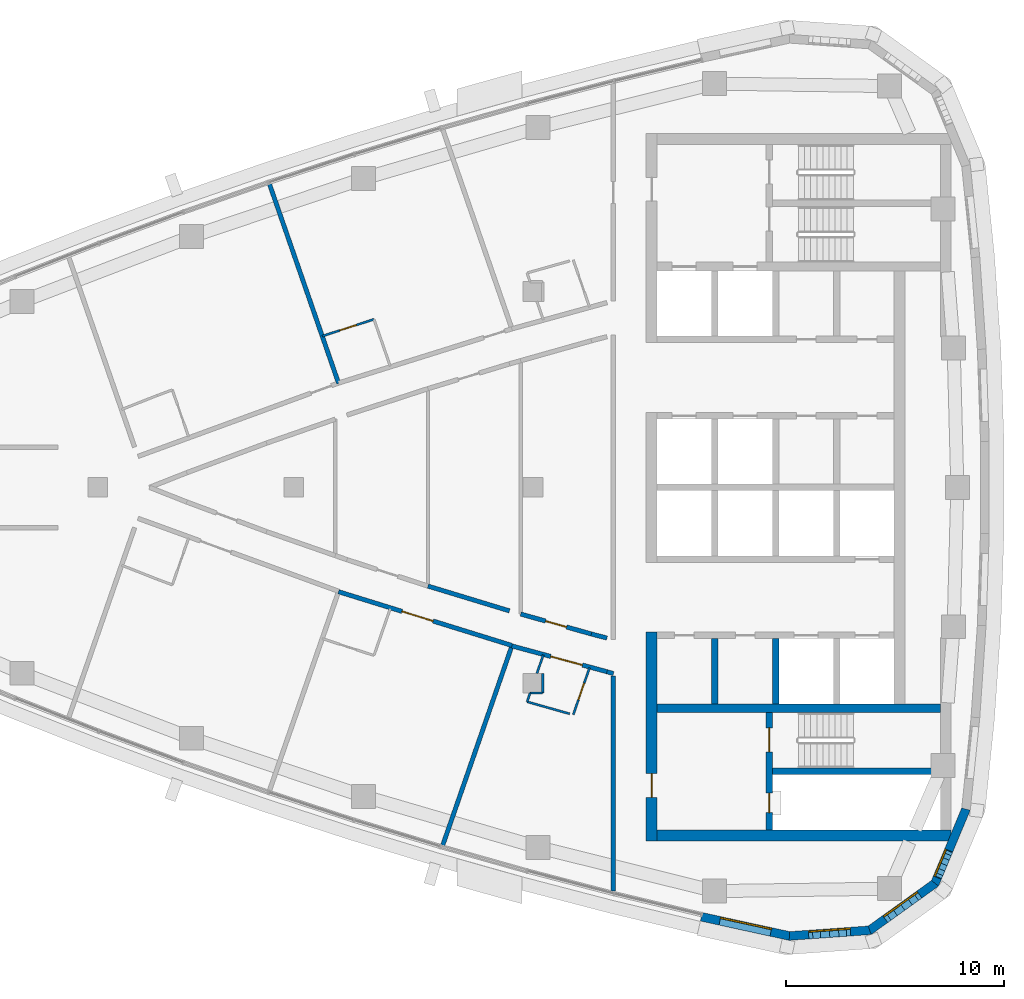
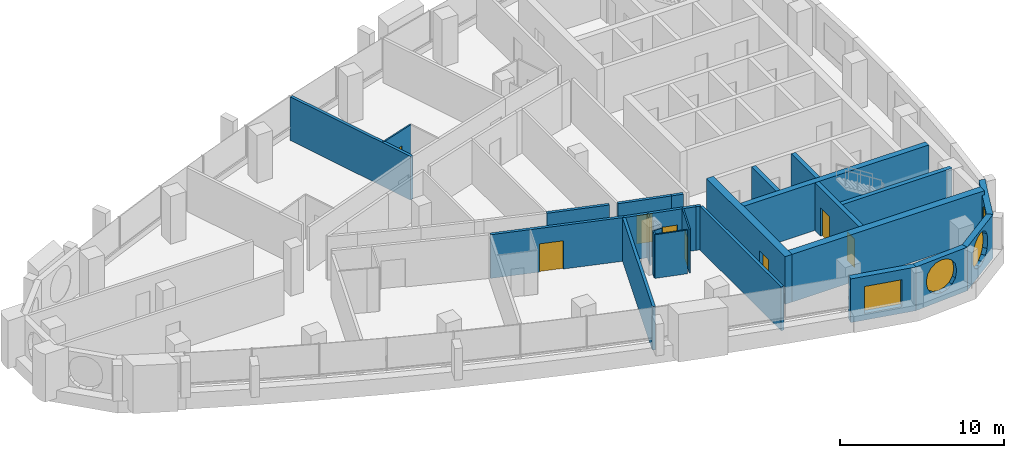
# One storey, part 8 of 15: 27 walls, 8 doors, 4 windows, 12 openings.
"""IFC4 building model written with IfcOpenShell, lengths in metres."""

from ifc_helpers import new_model, si_unit, direction, frame, frame_2d, origin, place, context, subcontext, project, spatial, polyline, rectangle, outline, extrude, material, layer, layer_set, type_object, element, fill, save


model = new_model("IFC4")

# Units and contexts
model_context = context("Model", 3, precision=1e-05, world=origin(), true_north=direction((0.0, 1.0)))
body_context = subcontext(model_context, "Body", "Model", "MODEL_VIEW")
ifc_project = project(units=[si_unit("LENGTHUNIT", "METRE"), si_unit("AREAUNIT", "SQUARE_METRE"), si_unit("VOLUMEUNIT", "CUBIC_METRE"), si_unit("PLANEANGLEUNIT", "RADIAN"), si_unit("MASSUNIT", "GRAM", prefix="KILO")], contexts=[model_context])

# Site, building, storey
site_placement = place(None, origin())
site = spatial("IfcSite", under=ifc_project, at=site_placement, CompositionType="ELEMENT")
building_placement = place(site_placement, origin())
building = spatial("IfcBuilding", under=site, at=building_placement, Name="Ostrand Prow Hotel Tower", CompositionType="ELEMENT")
storey_placement = place(building_placement, frame((0.0, 0.0, 292.75)))
storey = spatial("IfcBuildingStorey", under=building, at=storey_placement, Name="L74", CompositionType="ELEMENT", Elevation=292.75)

# Walls
ifc_material_1 = material(Name="Concrete C50/60", Category="concrete")
ifc_layer_1 = layer(ifc_material_1, 0.300048828125)
ifc_layer_set_1 = layer_set([ifc_layer_1], Name="Concrete C50/60")
wall_type_1 = type_object("IfcWallType", Name="Core wall 300 C50/60", PredefinedType="SHEAR", material=ifc_layer_set_1)
for number, where, z_axis, x_axis, name in (
    (1, (53.35009765625, -9.949951171875, 0.0), (0.0, 0.0, 1.0), (0.0, 1.0, 0.0), "Core wall PW-R1-SA"),
    (2, (56.14990234375, -9.949951171875, 0.0), (0.0, 0.0, 1.0), (0.0, 1.0, 0.0), "Core wall PW-R2-SA"),
):
    element("IfcWall", number, at=place(storey_placement, frame(where, z_axis=z_axis, x_axis=x_axis)), inside=storey, type_object=wall_type_1, Name=name, PredefinedType="SHEAR", context=body_context, shape_type="SweptSolid", body=[
        extrude(rectangle(XDim=3.0, YDim=0.300048828125, at=frame_2d((1.5, 0.0))), origin(), (0.0, 0.0, 1.0), 3.550048828125),
    ])

# Wall, openings, doors
wall_1_placement = place(storey_placement, frame((55.85009765625, -15.75, 0.0), z_axis=(0.0, 0.0, 1.0), x_axis=(0.0, 1.0, 0.0)))
wall_1 = element("IfcWall", 3, at=wall_1_placement, inside=storey, type_object=wall_type_1, Name="Core wall PW-VS", PredefinedType="SHEAR", context=body_context, shape_type="SweptSolid", body=[
    extrude(rectangle(XDim=5.39990234375, YDim=0.300048828125, at=frame_2d((2.699951171875, 0.0))), origin(), (0.0, 0.0, 1.0), 3.550048828125),
])
opening_1_placement = place(wall_1_placement, frame((3.60009765625, 0.0, 0.0)))
opening_1 = element("IfcOpeningElement", 4, at=opening_1_placement, cuts=wall_1, Name="Opening FD1", PredefinedType="OPENING", context=body_context, shape_type="SweptSolid", body=[
    extrude(rectangle(XDim=1.10009765625, YDim=2.10009765625, at=frame_2d((0.550048828125, 1.050048828125))), frame((0.0, 0.159912109375, 0.0), z_axis=(0.0, -1.0, 0.0), x_axis=(1.0, 0.0, 0.0)), (0.0, 0.0, 1.0), 0.320068359375),
])
opening_2_placement = place(wall_1_placement, frame((0.800048828125, 0.0, 0.0)))
opening_2 = element("IfcOpeningElement", 5, at=opening_2_placement, cuts=wall_1, Name="Opening FD2", PredefinedType="OPENING", context=body_context, shape_type="SweptSolid", body=[
    extrude(rectangle(XDim=0.89990234375, YDim=2.10009765625, at=frame_2d((0.449951171875, 1.050048828125))), frame((0.0, 0.159912109375, 0.0), z_axis=(0.0, -1.0, 0.0), x_axis=(1.0, 0.0, 0.0)), (0.0, 0.0, 1.0), 0.320068359375),
])
ifc_material_2 = material(Name="Steel fire door", Category="steel")
door_type_1 = type_object("IfcDoorType", Name="Fire door 1100 EI120", OperationType="SINGLE_SWING_RIGHT", PredefinedType="DOOR", material=ifc_material_2)
door_1_placement = place(opening_1_placement, origin())
door_1 = element("IfcDoor", 6, at=door_1_placement, inside=storey, type_object=door_type_1, Name="FIRE DOOR", OperationType="SINGLE_SWING_RIGHT", OverallHeight=2.10009765625, OverallWidth=1.10009765625, PredefinedType="DOOR", context=body_context, shape_type="SweptSolid", body=[
    extrude(rectangle(XDim=1.10009765625, YDim=2.10009765625, at=frame_2d((0.550048828125, 1.050048828125))), frame((0.0, 0.02490234375, 0.0), z_axis=(0.0, -1.0, 0.0), x_axis=(1.0, 0.0, 0.0)), (0.0, 0.0, 1.0), 0.050048828125),
])
fill(opening_1, door_1)
ifc_material_3 = material(Name="Steel fire door", Category="steel")
door_type_2 = type_object("IfcDoorType", Name="Fire door 900 EI120", OperationType="SINGLE_SWING_LEFT", PredefinedType="DOOR", material=ifc_material_3)
door_2_placement = place(opening_2_placement, origin())
door_2 = element("IfcDoor", 7, at=door_2_placement, inside=storey, type_object=door_type_2, Name="FIRE DOOR", OperationType="SINGLE_SWING_LEFT", OverallHeight=2.10009765625, OverallWidth=0.89990234375, PredefinedType="DOOR", context=body_context, shape_type="SweptSolid", body=[
    extrude(rectangle(XDim=0.89990234375, YDim=2.10009765625, at=frame_2d((0.449951171875, 1.050048828125))), frame((0.0, 0.02490234375, 0.0), z_axis=(0.0, -1.0, 0.0), x_axis=(1.0, 0.0, 0.0)), (0.0, 0.0, 1.0), 0.050048828125),
])
fill(opening_2, door_2)

# Walls
wall_2_placement = place(storey_placement, frame((56.0, -13.050048828125, 0.0), z_axis=(0.0, 0.0, 1.0), x_axis=(1.0, 0.0, 0.0)))
element("IfcWall", 8, at=wall_2_placement, inside=storey, type_object=wall_type_1, Name="Core wall PW-ST2R", PredefinedType="SHEAR", context=body_context, shape_type="SweptSolid", body=[
    extrude(rectangle(XDim=7.719970703125, YDim=0.300048828125, at=frame_2d((3.85986328125, 0.0))), origin(), (0.0, 0.0, 1.0), 3.550048828125),
])
ifc_material_4 = material(Name="Concrete C50/60", Category="concrete")
ifc_layer_2 = layer(ifc_material_4, 0.39990234375)
ifc_layer_set_2 = layer_set([ifc_layer_2], Name="Concrete C50/60")
wall_type_2 = type_object("IfcWallType", Name="Core wall 400 C50/60", PredefinedType="SHEAR", material=ifc_layer_set_2)
wall_3_placement = place(storey_placement, frame((50.699951171875, -10.14990234375, 0.0), z_axis=(0.0, 0.0, 1.0), x_axis=(1.0, 0.0, 0.0)))
element("IfcWall", 9, at=wall_3_placement, inside=storey, type_object=wall_type_2, Name="Core wall PW-BS", PredefinedType="SHEAR", context=body_context, shape_type="SweptSolid", body=[
    extrude(rectangle(XDim=13.02001953125, YDim=0.39990234375, at=frame_2d((6.510009765625, 0.0))), origin(), (0.0, 0.0, 1.0), 3.550048828125),
])

# Wall, opening, door
ifc_material_5 = material(Name="Concrete C50/60", Category="concrete")
ifc_layer_3 = layer(ifc_material_5, 0.5)
ifc_layer_set_3 = layer_set([ifc_layer_3], Name="Concrete C50/60")
wall_type_3 = type_object("IfcWallType", Name="Core wall 500 C50/60", PredefinedType="SHEAR", material=ifc_layer_set_3)
wall_4_placement = place(storey_placement, frame((50.449951171875, -16.25, 0.0), z_axis=(0.0, 0.0, 1.0), x_axis=(0.0, 1.0, 0.0)))
wall_4 = element("IfcWall", 10, at=wall_4_placement, inside=storey, type_object=wall_type_3, Name="Core wall CW-W-S", PredefinedType="SHEAR", context=body_context, shape_type="SweptSolid", body=[
    extrude(rectangle(XDim=9.60009765625, YDim=0.5, at=frame_2d((4.800048828125, 0.0))), origin(), (0.0, 0.0, 1.0), 3.550048828125),
])
opening_3_placement = place(wall_4_placement, frame((2.0, 0.0, 0.0)))
opening_3 = element("IfcOpeningElement", 11, at=opening_3_placement, cuts=wall_4, Name="Opening FD1", PredefinedType="OPENING", context=body_context, shape_type="SweptSolid", body=[
    extrude(rectangle(XDim=1.10009765625, YDim=2.10009765625, at=frame_2d((0.550048828125, 1.050048828125))), frame((0.0, 0.260009765625, 0.0), z_axis=(0.0, -1.0, 0.0), x_axis=(1.0, 0.0, 0.0)), (0.0, 0.0, 1.0), 0.52001953125),
])
door_3_placement = place(opening_3_placement, origin())
door_3 = element("IfcDoor", 12, at=door_3_placement, inside=storey, type_object=door_type_1, Name="FIRE DOOR", OperationType="SINGLE_SWING_RIGHT", OverallHeight=2.10009765625, OverallWidth=1.10009765625, PredefinedType="DOOR", context=body_context, shape_type="SweptSolid", body=[
    extrude(rectangle(XDim=1.10009765625, YDim=2.10009765625, at=frame_2d((0.550048828125, 1.050048828125))), frame((0.0, 0.02490234375, 0.0), z_axis=(0.0, -1.0, 0.0), x_axis=(1.0, 0.0, 0.0)), (0.0, 0.0, 1.0), 0.050048828125),
])
fill(opening_3, door_3)

# Wall
wall_5_placement = place(storey_placement, frame((50.699951171875, -16.0, 0.0), z_axis=(0.0, 0.0, 1.0), x_axis=(1.0, 0.0, 0.0)))
element("IfcWall", 13, at=wall_5_placement, inside=storey, type_object=wall_type_3, Name="Core wall CW-S", PredefinedType="SHEAR", context=body_context, shape_type="SweptSolid", body=[
    extrude(rectangle(XDim=13.52001953125, YDim=0.5, at=frame_2d((6.760009765625, 0.0))), origin(), (0.0, 0.0, 1.0), 3.550048828125),
])

# Wall, opening, door
ifc_material_6 = material(Name="Plasterboard partition")
ifc_layer_4 = layer(ifc_material_6, 0.10009765625)
ifc_layer_set_4 = layer_set([ifc_layer_4], Name="Plasterboard partition")
wall_type_4 = type_object("IfcWallType", Name="Partition 100 bathroom wall", PredefinedType="PARTITIONING", material=ifc_layer_set_4)
wall_6_placement = place(storey_placement, frame((35.31689453125, 6.948486328125, 0.0), z_axis=(0.0, 0.0, 1.0), x_axis=(0.950666002187, 0.310216299194, 0.0)))
wall_6 = element("IfcWall", 14, at=wall_6_placement, inside=storey, type_object=wall_type_4, Name="BATHROOM WALL", PredefinedType="PARTITIONING", context=body_context, shape_type="SweptSolid", body=[
    extrude(rectangle(XDim=2.500244140625, YDim=0.10009765625, at=frame_2d((1.25, 0.0))), origin(), (0.0, 0.0, 1.0), 3.25),
])
opening_4_placement = place(wall_6_placement, frame((0.85009765625, 0.0, 0.0)))
opening_4 = element("IfcOpeningElement", 15, at=opening_4_placement, cuts=wall_6, Name="Opening D2", PredefinedType="OPENING", context=body_context, shape_type="SweptSolid", body=[
    extrude(rectangle(XDim=0.800048828125, YDim=2.10009765625, at=frame_2d((0.39990234375, 1.050048828125))), frame((0.0, 0.06005859375, 0.0), z_axis=(0.0, -1.0, 0.0), x_axis=(1.0, 0.0, 0.0)), (0.0, 0.0, 1.0), 0.1201171875),
])
ifc_material_7 = material(Name="Timber door leaf", Category="wood")
door_type_3 = type_object("IfcDoorType", Name="Bathroom door 800", OperationType="SINGLE_SWING_LEFT", PredefinedType="DOOR", material=ifc_material_7)
door_4_placement = place(opening_4_placement, origin())
door_4 = element("IfcDoor", 16, at=door_4_placement, inside=storey, type_object=door_type_3, Name="DOOR", OperationType="SINGLE_SWING_LEFT", OverallHeight=2.10009765625, OverallWidth=0.800048828125, PredefinedType="DOOR", context=body_context, shape_type="SweptSolid", body=[
    extrude(rectangle(XDim=0.800048828125, YDim=2.10009765625, at=frame_2d((0.39990234375, 1.050048828125))), frame((0.0, 0.02490234375, 0.0), z_axis=(0.0, -1.0, 0.0), x_axis=(1.0, 0.0, 0.0)), (0.0, 0.0, 1.0), 0.050048828125),
])
fill(opening_4, door_4)

# Walls
wall_7_placement = place(storey_placement, frame((44.728759765625, -9.851806640625, 0.0), z_axis=(0.0, 0.0, 1.0), x_axis=(0.327741335839, 0.944767493504, 0.0)))
element("IfcWall", 17, at=wall_7_placement, inside=storey, type_object=wall_type_4, Name="BATHROOM WALL", PredefinedType="PARTITIONING", context=body_context, shape_type="SweptSolid", body=[
    extrude(rectangle(XDim=0.42529296875, YDim=0.10009765625, at=frame_2d((0.212646484375, 0.0))), origin(), (0.0, 0.0, 1.0), 3.25),
])
wall_8_placement = place(storey_placement, frame((44.8681640625, -9.449951171875, 0.0), z_axis=(0.0, 0.0, 1.0), x_axis=(1.0, 0.0, 0.0)))
element("IfcWall", 18, at=wall_8_placement, inside=storey, type_object=wall_type_4, Name="BATHROOM WALL", PredefinedType="PARTITIONING", context=body_context, shape_type="SweptSolid", body=[
    extrude(rectangle(XDim=0.579833984375, YDim=0.10009765625, at=frame_2d((0.2900390625, 0.0))), origin(), (0.0, 0.0, 1.0), 3.25),
])
wall_9_placement = place(storey_placement, frame((45.449951171875, -9.447998046875, 0.0), z_axis=(0.0, 0.0, 1.0), x_axis=(0.0, 1.0, 0.0)))
element("IfcWall", 19, at=wall_9_placement, inside=storey, type_object=wall_type_4, Name="BATHROOM WALL", PredefinedType="PARTITIONING", context=body_context, shape_type="SweptSolid", body=[
    extrude(rectangle(XDim=0.89599609375, YDim=0.10009765625, at=frame_2d((0.447998046875, 0.0))), origin(), (0.0, 0.0, 1.0), 3.25),
])
wall_10_placement = place(storey_placement, frame((45.180419921875, -8.550048828125, 0.0), z_axis=(0.0, 0.0, 1.0), x_axis=(0.327723446833, 0.944773699039, 0.0)))
element("IfcWall", 20, at=wall_10_placement, inside=storey, type_object=wall_type_4, Name="BATHROOM WALL", PredefinedType="PARTITIONING", context=body_context, shape_type="SweptSolid", body=[
    extrude(rectangle(XDim=0.90283203125, YDim=0.10009765625, at=frame_2d((0.451416015625, 0.0))), origin(), (0.0, 0.0, 1.0), 3.25),
])

# Wall, opening, door
wall_11_placement = place(storey_placement, frame((47.599365234375, -8.289306640625, 0.0), z_axis=(0.0, 0.0, 1.0), x_axis=(-0.327716238033, -0.944776199599, 0.0)))
wall_11 = element("IfcWall", 21, at=wall_11_placement, inside=storey, type_object=wall_type_4, Name="BATHROOM WALL", PredefinedType="PARTITIONING", context=body_context, shape_type="SweptSolid", body=[
    extrude(rectangle(XDim=2.2841796875, YDim=0.10009765625, at=frame_2d((1.14208984375, 0.0))), origin(), (0.0, 0.0, 1.0), 3.25),
])
opening_5_placement = place(wall_11_placement, frame((0.75, 0.0, 0.0)))
opening_5 = element("IfcOpeningElement", 22, at=opening_5_placement, cuts=wall_11, Name="Opening D2", PredefinedType="OPENING", context=body_context, shape_type="SweptSolid", body=[
    extrude(rectangle(XDim=0.800048828125, YDim=2.10009765625, at=frame_2d((0.39990234375, 1.050048828125))), frame((0.0, 0.06005859375, 0.0), z_axis=(0.0, -1.0, 0.0), x_axis=(1.0, 0.0, 0.0)), (0.0, 0.0, 1.0), 0.1201171875),
])
door_5_placement = place(opening_5_placement, origin())
door_5 = element("IfcDoor", 23, at=door_5_placement, inside=storey, type_object=door_type_3, Name="DOOR", OperationType="SINGLE_SWING_LEFT", OverallHeight=2.10009765625, OverallWidth=0.800048828125, PredefinedType="DOOR", context=body_context, shape_type="SweptSolid", body=[
    extrude(rectangle(XDim=0.800048828125, YDim=2.10009765625, at=frame_2d((0.39990234375, 1.050048828125))), frame((0.0, 0.02490234375, 0.0), z_axis=(0.0, -1.0, 0.0), x_axis=(1.0, 0.0, 0.0)), (0.0, 0.0, 1.0), 0.050048828125),
])
fill(opening_5, door_5)

# Wall
wall_12_placement = place(storey_placement, frame((46.68896484375, -10.405029296875, 0.0), z_axis=(0.0, 0.0, 1.0), x_axis=(-0.962405498185, 0.271616746654, 0.0)))
element("IfcWall", 24, at=wall_12_placement, inside=storey, type_object=wall_type_4, Name="BATHROOM WALL", PredefinedType="PARTITIONING", context=body_context, shape_type="SweptSolid", body=[
    extrude(rectangle(XDim=2.036865234375, YDim=0.10009765625, at=frame_2d((1.0185546875, 0.0))), origin(), (0.0, 0.0, 1.0), 3.25),
])

# Wall, opening, door
ifc_material_8 = material(Name="Plasterboard partition")
ifc_layer_5 = layer(ifc_material_8, 0.199951171875)
ifc_layer_set_5 = layer_set([ifc_layer_5], Name="Plasterboard partition")
wall_type_5 = type_object("IfcWallType", Name="Partition 200 corridor wall", PredefinedType="PARTITIONING", material=ifc_layer_set_5)
wall_13_placement = place(storey_placement, frame((36.064208984375, -4.794189453125, 0.0), z_axis=(0.0, 0.0, 1.0), x_axis=(0.955129200503, -0.296189483855, 0.0)))
wall_13 = element("IfcWall", 25, at=wall_13_placement, inside=storey, type_object=wall_type_5, Name="CORRIDOR WALL", PredefinedType="PARTITIONING", context=body_context, shape_type="SweptSolid", body=[
    extrude(rectangle(XDim=8.34814453125, YDim=0.199951171875, at=frame_2d((4.174072265625, 0.0))), origin(), (0.0, 0.0, 1.0), 3.25),
])
opening_6_placement = place(wall_13_placement, frame((3.050048828125, 0.0, 0.0)))
opening_6 = element("IfcOpeningElement", 26, at=opening_6_placement, cuts=wall_13, Name="Opening D15", PredefinedType="OPENING", context=body_context, shape_type="SweptSolid", body=[
    extrude(rectangle(XDim=1.5, YDim=2.10009765625, at=frame_2d((0.75, 1.050048828125))), frame((0.0, 0.10986328125, 0.0), z_axis=(0.0, -1.0, 0.0), x_axis=(1.0, 0.0, 0.0)), (0.0, 0.0, 1.0), 0.219970703125),
])
ifc_material_9 = material(Name="Timber door leaf", Category="wood")
door_type_4 = type_object("IfcDoorType", Name="Double door 1500", OperationType="DOUBLE_DOOR_SINGLE_SWING", PredefinedType="DOOR", material=ifc_material_9)
door_6_placement = place(opening_6_placement, origin())
door_6 = element("IfcDoor", 27, at=door_6_placement, inside=storey, type_object=door_type_4, Name="DOOR", OperationType="DOUBLE_DOOR_SINGLE_SWING", OverallHeight=2.10009765625, OverallWidth=1.5, PredefinedType="DOOR", context=body_context, shape_type="SweptSolid", body=[
    extrude(rectangle(XDim=1.5, YDim=2.10009765625, at=frame_2d((0.75, 1.050048828125))), frame((0.0, 0.02490234375, 0.0), z_axis=(0.0, -1.0, 0.0), x_axis=(1.0, 0.0, 0.0)), (0.0, 0.0, 1.0), 0.050048828125),
])
fill(opening_6, door_6)

# Wall
wall_14_placement = place(storey_placement, frame((43.91845703125, -5.6748046875, 0.0), z_axis=(0.0, 0.0, 1.0), x_axis=(-0.956723737069, 0.29099775073, 0.0)))
element("IfcWall", 28, at=wall_14_placement, inside=storey, type_object=wall_type_5, Name="CORRIDOR WALL", PredefinedType="PARTITIONING", context=body_context, shape_type="SweptSolid", body=[
    extrude(rectangle(XDim=3.9130859375, YDim=0.199951171875, at=frame_2d((1.95654296875, 0.0))), origin(), (0.0, 0.0, 1.0), 3.25),
])

# Wall, opening, door
wall_15_placement = place(storey_placement, frame((47.684326171875, -6.737548828125, 0.0), z_axis=(0.0, 0.0, 1.0), x_axis=(-0.962403613575, 0.271623424206, 0.0)))
wall_15 = element("IfcWall", 29, at=wall_15_placement, inside=storey, type_object=wall_type_5, Name="CORRIDOR WALL", PredefinedType="PARTITIONING", context=body_context, shape_type="SweptSolid", body=[
    extrude(rectangle(XDim=3.374267578125, YDim=0.199951171875, at=frame_2d((1.68701171875, 0.0))), origin(), (0.0, 0.0, 1.0), 3.25),
])
opening_7_placement = place(wall_15_placement, frame((1.18701171875, 0.0, 0.0)))
opening_7 = element("IfcOpeningElement", 30, at=opening_7_placement, cuts=wall_15, Name="Opening D1", PredefinedType="OPENING", context=body_context, shape_type="SweptSolid", body=[
    extrude(rectangle(XDim=1.0, YDim=2.10009765625, at=frame_2d((0.5, 1.050048828125))), frame((0.0, 0.10986328125, 0.0), z_axis=(0.0, -1.0, 0.0), x_axis=(1.0, 0.0, 0.0)), (0.0, 0.0, 1.0), 0.219970703125),
])
ifc_material_10 = material(Name="Timber door leaf", Category="wood")
door_type_5 = type_object("IfcDoorType", Name="Guest room door 1000", OperationType="SINGLE_SWING_LEFT", PredefinedType="DOOR", material=ifc_material_10)
door_7_placement = place(opening_7_placement, origin())
door_7 = element("IfcDoor", 31, at=door_7_placement, inside=storey, type_object=door_type_5, Name="DOOR", OperationType="SINGLE_SWING_LEFT", OverallHeight=2.10009765625, OverallWidth=1.0, PredefinedType="DOOR", context=body_context, shape_type="SweptSolid", body=[
    extrude(rectangle(XDim=1.0, YDim=2.10009765625, at=frame_2d((0.5, 1.050048828125))), frame((0.0, 0.02490234375, 0.0), z_axis=(0.0, -1.0, 0.0), x_axis=(1.0, 0.0, 0.0)), (0.0, 0.0, 1.0), 0.050048828125),
])
fill(opening_7, door_7)

wall_16_placement = place(storey_placement, frame((44.03125, -7.285888671875, 0.0), z_axis=(0.0, 0.0, 1.0), x_axis=(0.965107760304, -0.261853033211, 0.0)))
wall_16 = element("IfcWall", 32, at=wall_16_placement, inside=storey, type_object=wall_type_5, Name="CORRIDOR WALL", PredefinedType="PARTITIONING", context=body_context, shape_type="SweptSolid", body=[
    extrude(rectangle(XDim=4.526611328125, YDim=0.199951171875, at=frame_2d((2.26318359375, 0.0))), origin(), (0.0, 0.0, 1.0), 3.25),
])
opening_8_placement = place(wall_16_placement, frame((1.85107421875, 0.0, 0.0)))
opening_8 = element("IfcOpeningElement", 33, at=opening_8_placement, cuts=wall_16, Name="Opening D15", PredefinedType="OPENING", context=body_context, shape_type="SweptSolid", body=[
    extrude(rectangle(XDim=1.5, YDim=2.10009765625, at=frame_2d((0.75, 1.050048828125))), frame((0.0, 0.10986328125, 0.0), z_axis=(0.0, -1.0, 0.0), x_axis=(1.0, 0.0, 0.0)), (0.0, 0.0, 1.0), 0.219970703125),
])
door_8_placement = place(opening_8_placement, origin())
door_8 = element("IfcDoor", 34, at=door_8_placement, inside=storey, type_object=door_type_4, Name="DOOR", OperationType="DOUBLE_DOOR_SINGLE_SWING", OverallHeight=2.10009765625, OverallWidth=1.5, PredefinedType="DOOR", context=body_context, shape_type="SweptSolid", body=[
    extrude(rectangle(XDim=1.5, YDim=2.10009765625, at=frame_2d((0.75, 1.050048828125))), frame((0.0, 0.02490234375, 0.0), z_axis=(0.0, -1.0, 0.0), x_axis=(1.0, 0.0, 0.0)), (0.0, 0.0, 1.0), 0.050048828125),
])
fill(opening_8, door_8)

# Walls
wall_17_placement = place(storey_placement, frame((48.39990234375, -6.92431640625, 0.0), z_axis=(0.0, 0.0, 1.0), x_axis=(-0.967585713416, 0.252542842294, 0.0)))
element("IfcWall", 35, at=wall_17_placement, inside=storey, type_object=wall_type_5, Name="CORRIDOR WALL", PredefinedType="PARTITIONING", context=body_context, shape_type="SweptSolid", body=[
    extrude(rectangle(XDim=0.739501953125, YDim=0.199951171875, at=frame_2d((0.36962890625, 0.0))), origin(), (0.0, 0.0, 1.0), 3.25),
])
wall_18_placement = place(storey_placement, frame((48.39990234375, -8.47119140625, 0.0), z_axis=(0.0, 0.0, 1.0), x_axis=(0.960807456803, -0.277216577701, 0.0)))
element("IfcWall", 36, at=wall_18_placement, inside=storey, type_object=wall_type_5, Name="CORRIDOR WALL", PredefinedType="PARTITIONING", context=body_context, shape_type="SweptSolid", body=[
    extrude(rectangle(XDim=0.31005859375, YDim=0.199951171875, at=frame_2d((0.155029296875, 0.0))), origin(), (0.0, 0.0, 1.0), 3.25),
])
wall_19_placement = place(storey_placement, frame((48.695068359375, -8.67626953125, 0.0), z_axis=(0.0, 0.0, 1.0), x_axis=(0.0, -1.0, 0.0)))
element("IfcWall", 37, at=wall_19_placement, inside=storey, type_object=wall_type_5, Name="CORRIDOR WALL", PredefinedType="PARTITIONING", context=body_context, shape_type="SweptSolid", body=[
    extrude(rectangle(XDim=9.876708984375, YDim=0.199951171875, at=frame_2d((4.9384765625, 0.0))), origin(), (0.0, 0.0, 1.0), 3.25),
])
ifc_material_11 = material(Name="Plasterboard partition")
ifc_layer_6 = layer(ifc_material_11, 0.199951171875)
ifc_layer_set_6 = layer_set([ifc_layer_6], Name="Plasterboard partition")
wall_type_6 = type_object("IfcWallType", Name="Partition 200 key partition", PredefinedType="PARTITIONING", material=ifc_layer_set_6)
wall_20_placement = place(storey_placement, frame((36.07080078125, 4.775390625, 0.0), z_axis=(0.0, 0.0, 1.0), x_axis=(-0.327725028322, 0.94477315045, 0.0)))
element("IfcWall", 38, at=wall_20_placement, inside=storey, type_object=wall_type_6, Name="KEY PARTITION", PredefinedType="PARTITIONING", context=body_context, shape_type="SweptSolid", body=[
    extrude(rectangle(XDim=9.70166015625, YDim=0.199951171875, at=frame_2d((4.850830078125, 0.0))), origin(), (0.0, 0.0, 1.0), 3.25),
])
wall_21_placement = place(storey_placement, frame((40.853515625, -16.447021484375, 0.0), z_axis=(0.0, 0.0, 1.0), x_axis=(0.327714576096, 0.944776776077, 0.0)))
element("IfcWall", 39, at=wall_21_placement, inside=storey, type_object=wall_type_6, Name="KEY PARTITION", PredefinedType="PARTITIONING", context=body_context, shape_type="SweptSolid", body=[
    extrude(rectangle(XDim=9.716796875, YDim=0.199951171875, at=frame_2d((4.8583984375, 0.0))), origin(), (0.0, 0.0, 1.0), 3.25),
])

# Wall, opening, window
ifc_material_12 = material(Name="Precast concrete C40/50", Category="concrete")
ifc_layer_7 = layer(ifc_material_12, 0.39990234375)
ifc_layer_set_7 = layer_set([ifc_layer_7], Name="Precast concrete C40/50")
wall_type_7 = type_object("IfcWallType", Name="Stone-faced precast wall 400 mm", PredefinedType="NOTDEFINED", material=ifc_layer_set_7)
wall_22_placement = place(storey_placement, frame((52.73828125, -19.73193359375, 0.0), z_axis=(0.0, 0.0, 1.0), x_axis=(0.977020225348, -0.213146614471, 0.0)))
wall_22 = element("IfcWall", 40, at=wall_22_placement, inside=storey, type_object=wall_type_7, Name="Stone-faced wall back 1", PredefinedType="NOTDEFINED", context=body_context, shape_type="SweptSolid", body=[
    extrude(outline(polyline([(0.0, -0.199951171875), (4.170654296875, -0.199951171875), (4.113037109375, 0.199951171875), (0.0, 0.199951171875), (0.0, -0.199951171875)])), origin(), (0.0, 0.0, 1.0), 3.25),
])
opening_9_placement = place(wall_22_placement, frame((0.870849609375, 0.0, 0.5)))
opening_9 = element("IfcOpeningElement", 41, at=opening_9_placement, cuts=wall_22, Name="Opening WA1", PredefinedType="OPENING", context=body_context, shape_type="SweptSolid", body=[
    extrude(rectangle(XDim=2.39990234375, YDim=2.0, at=frame_2d((1.199951171875, 1.0))), frame((0.0, 0.2099609375, 0.0), z_axis=(0.0, -1.0, 0.0), x_axis=(1.0, 0.0, 0.0)), (0.0, 0.0, 1.0), 0.419921875),
])
ifc_material_13 = material(Name="Insulated glass in bronze frame", Category="glass")
window_type_1 = type_object("IfcWindowType", Name="Amenity picture window 2400x2000", PartitioningType="SINGLE_PANEL", PredefinedType="WINDOW", material=ifc_material_13)
window_1_placement = place(opening_9_placement, origin())
window_1 = element("IfcWindow", 42, at=window_1_placement, inside=storey, type_object=window_type_1, Name="Window back 1.1", OverallHeight=2.0, OverallWidth=2.39990234375, PartitioningType="SINGLE_PANEL", PredefinedType="WINDOW", context=body_context, shape_type="SweptSolid", body=[
    extrude(rectangle(XDim=2.39990234375, YDim=2.0, at=frame_2d((1.199951171875, 1.0))), frame((0.0, 0.169921875, 0.0), z_axis=(0.0, -1.0, 0.0), x_axis=(1.0, 0.0, 0.0)), (0.0, 0.0, 1.0), 0.06005859375),
])
fill(opening_9, window_1)

wall_23_placement = place(storey_placement, frame((56.784912109375, -20.61474609375, 0.0), z_axis=(0.0, 0.0, 1.0), x_axis=(0.99746272096, 0.071190731806, 0.0)))
wall_23 = element("IfcWall", 43, at=wall_23_placement, inside=storey, type_object=wall_type_7, Name="Stone-faced wall back 2", PredefinedType="NOTDEFINED", context=body_context, shape_type="SweptSolid", body=[
    extrude(outline(polyline([(-0.02880859375, -0.199951171875), (3.75341796875, -0.199951171875), (3.64013671875, 0.199951171875), (0.02880859375, 0.199951171875), (-0.02880859375, -0.199951171875)])), origin(), (0.0, 0.0, 1.0), 3.25),
])
opening_10_placement = place(wall_23_placement, frame((0.748291015625, 0.0, 0.60009765625)))
opening_10 = element("IfcOpeningElement", 44, at=opening_10_placement, cuts=wall_23, Name="Opening WP2", PredefinedType="OPENING", context=body_context, shape_type="SweptSolid", body=[
    extrude(outline(polyline([(0.0, 1.35009765625), (0.083740234375, 1.77099609375), (0.322265625, 2.127685546875), (0.678955078125, 2.3662109375), (1.10009765625, 2.449951171875), (1.52099609375, 2.3662109375), (1.877685546875, 2.127685546875), (2.1162109375, 1.77099609375), (2.199951171875, 1.35009765625), (2.199951171875, 1.10009765625), (2.1162109375, 0.678955078125), (1.877685546875, 0.322265625), (1.52099609375, 0.083740234375), (1.10009765625, 0.0), (0.678955078125, 0.083740234375), (0.322265625, 0.322265625), (0.083740234375, 0.678955078125), (0.0, 1.099853515625), (0.0, 1.35009765625)])), frame((0.0, 0.2099609375, 0.0), z_axis=(0.0, -1.0, 0.0), x_axis=(1.0, 0.0, 0.0)), (0.0, 0.0, 1.0), 0.419921875),
])
ifc_material_14 = material(Name="Insulated glass in bronze frame", Category="glass")
window_type_2 = type_object("IfcWindowType", Name="Round-ended prow lounge window 2200x2450", PartitioningType="SINGLE_PANEL", PredefinedType="WINDOW", material=ifc_material_14)
window_2_placement = place(opening_10_placement, origin())
window_2 = element("IfcWindow", 45, at=window_2_placement, inside=storey, type_object=window_type_2, Name="Window back 2.1", OverallHeight=2.449951171875, OverallWidth=2.199951171875, PartitioningType="SINGLE_PANEL", PredefinedType="WINDOW", context=body_context, shape_type="SweptSolid", body=[
    extrude(outline(polyline([(0.0, 1.35009765625), (0.083740234375, 1.77099609375), (0.322265625, 2.127685546875), (0.678955078125, 2.3662109375), (1.10009765625, 2.449951171875), (1.52099609375, 2.3662109375), (1.877685546875, 2.127685546875), (2.1162109375, 1.77099609375), (2.199951171875, 1.35009765625), (2.199951171875, 1.10009765625), (2.1162109375, 0.678955078125), (1.877685546875, 0.322265625), (1.52099609375, 0.083740234375), (1.10009765625, 0.0), (0.678955078125, 0.083740234375), (0.322265625, 0.322265625), (0.083740234375, 0.678955078125), (0.0, 1.099853515625), (0.0, 1.35009765625)])), frame((0.0, 0.169921875, 0.0), z_axis=(0.0, -1.0, 0.0), x_axis=(1.0, 0.0, 0.0)), (0.0, 0.0, 1.0), 0.06005859375),
])
fill(opening_10, window_2)

wall_24_placement = place(storey_placement, frame((60.472412109375, -20.3515625, 0.0), z_axis=(0.0, 0.0, 1.0), x_axis=(0.811962548682, 0.583709533533, 0.0)))
wall_24 = element("IfcWall", 46, at=wall_24_placement, inside=storey, type_object=wall_type_7, Name="Stone-faced wall back 3", PredefinedType="NOTDEFINED", context=body_context, shape_type="SweptSolid", body=[
    extrude(outline(polyline([(-0.056640625, -0.199951171875), (3.753173828125, -0.199951171875), (3.639892578125, 0.199951171875), (0.056640625, 0.199951171875), (-0.056640625, -0.199951171875)])), origin(), (0.0, 0.0, 1.0), 3.25),
])
opening_11_placement = place(wall_24_placement, frame((0.748291015625, 0.0, 0.60009765625)))
opening_11 = element("IfcOpeningElement", 47, at=opening_11_placement, cuts=wall_24, Name="Opening WP2", PredefinedType="OPENING", context=body_context, shape_type="SweptSolid", body=[
    extrude(outline(polyline([(0.0, 1.35009765625), (0.083740234375, 1.77099609375), (0.322265625, 2.127685546875), (0.678955078125, 2.3662109375), (1.10009765625, 2.449951171875), (1.52099609375, 2.3662109375), (1.877685546875, 2.127685546875), (2.1162109375, 1.77099609375), (2.199951171875, 1.35009765625), (2.199951171875, 1.10009765625), (2.1162109375, 0.678955078125), (1.877685546875, 0.322265625), (1.52099609375, 0.083740234375), (1.10009765625, 0.0), (0.678955078125, 0.083740234375), (0.322265625, 0.322265625), (0.083740234375, 0.678955078125), (0.0, 1.099853515625), (0.0, 1.35009765625)])), frame((0.0, 0.2099609375, 0.0), z_axis=(0.0, -1.0, 0.0), x_axis=(1.0, 0.0, 0.0)), (0.0, 0.0, 1.0), 0.419921875),
])
window_3_placement = place(opening_11_placement, origin())
window_3 = element("IfcWindow", 48, at=window_3_placement, inside=storey, type_object=window_type_2, Name="Window back 3.1", OverallHeight=2.449951171875, OverallWidth=2.199951171875, PartitioningType="SINGLE_PANEL", PredefinedType="WINDOW", context=body_context, shape_type="SweptSolid", body=[
    extrude(outline(polyline([(0.0, 1.35009765625), (0.083740234375, 1.77099609375), (0.322265625, 2.127685546875), (0.678955078125, 2.3662109375), (1.10009765625, 2.449951171875), (1.52099609375, 2.3662109375), (1.877685546875, 2.127685546875), (2.1162109375, 1.77099609375), (2.199951171875, 1.35009765625), (2.199951171875, 1.10009765625), (2.1162109375, 0.678955078125), (1.877685546875, 0.322265625), (1.52099609375, 0.083740234375), (1.10009765625, 0.0), (0.678955078125, 0.083740234375), (0.322265625, 0.322265625), (0.083740234375, 0.678955078125), (0.0, 1.099853515625), (0.0, 1.35009765625)])), frame((0.0, 0.169921875, 0.0), z_axis=(0.0, -1.0, 0.0), x_axis=(1.0, 0.0, 0.0)), (0.0, 0.0, 1.0), 0.06005859375),
])
fill(opening_11, window_3)

wall_25_placement = place(storey_placement, frame((63.473876953125, -18.19384765625, 0.0), z_axis=(0.0, 0.0, 1.0), x_axis=(0.385285857918, 0.922797273343, 0.0)))
wall_25 = element("IfcWall", 49, at=wall_25_placement, inside=storey, type_object=wall_type_7, Name="Stone-faced wall back 4", PredefinedType="NOTDEFINED", context=body_context, shape_type="SweptSolid", body=[
    extrude(outline(polyline([(-0.056640625, -0.199951171875), (3.726318359375, -0.199951171875), (3.667236328125, 0.199951171875), (0.056640625, 0.199951171875), (-0.056640625, -0.199951171875)])), origin(), (0.0, 0.0, 1.0), 3.25),
])
opening_12_placement = place(wall_25_placement, frame((0.26123046875, 0.0, 0.60009765625)))
opening_12 = element("IfcOpeningElement", 50, at=opening_12_placement, cuts=wall_25, Name="Opening WP2-14", PredefinedType="OPENING", context=body_context, shape_type="SweptSolid", body=[
    extrude(outline(polyline([(0.0, 1.75), (0.05322265625, 2.017822265625), (0.205078125, 2.244873046875), (0.43212890625, 2.396728515625), (0.699951171875, 2.449951171875), (0.9677734375, 2.396728515625), (1.19482421875, 2.244873046875), (1.3466796875, 2.017822265625), (1.39990234375, 1.75), (1.39990234375, 0.699951171875), (1.3466796875, 0.43212890625), (1.19482421875, 0.205078125), (0.9677734375, 0.05322265625), (0.699951171875, 0.0), (0.43212890625, 0.05322265625), (0.205078125, 0.205078125), (0.05322265625, 0.43212890625), (0.0, 0.699951171875), (0.0, 1.75)])), frame((0.0, 0.2099609375, 0.0), z_axis=(0.0, -1.0, 0.0), x_axis=(1.0, 0.0, 0.0)), (0.0, 0.0, 1.0), 0.419921875),
])
ifc_material_15 = material(Name="Insulated glass in bronze frame", Category="glass")
window_type_3 = type_object("IfcWindowType", Name="Round-ended prow lounge window 1400x2450", PartitioningType="SINGLE_PANEL", PredefinedType="WINDOW", material=ifc_material_15)
window_4_placement = place(opening_12_placement, origin())
window_4 = element("IfcWindow", 51, at=window_4_placement, inside=storey, type_object=window_type_3, Name="Window back 4.1", OverallHeight=2.449951171875, OverallWidth=1.39990234375, PartitioningType="SINGLE_PANEL", PredefinedType="WINDOW", context=body_context, shape_type="SweptSolid", body=[
    extrude(outline(polyline([(0.0, 1.75), (0.05322265625, 2.017822265625), (0.205078125, 2.244873046875), (0.43212890625, 2.396728515625), (0.699951171875, 2.449951171875), (0.9677734375, 2.396728515625), (1.19482421875, 2.244873046875), (1.3466796875, 2.017822265625), (1.39990234375, 1.75), (1.39990234375, 0.699951171875), (1.3466796875, 0.43212890625), (1.19482421875, 0.205078125), (0.9677734375, 0.05322265625), (0.699951171875, 0.0), (0.43212890625, 0.05322265625), (0.205078125, 0.205078125), (0.05322265625, 0.43212890625), (0.0, 0.699951171875), (0.0, 1.75)])), frame((0.0, 0.169921875, 0.0), z_axis=(0.0, -1.0, 0.0), x_axis=(1.0, 0.0, 0.0)), (0.0, 0.0, 1.0), 0.06005859375),
])
fill(opening_12, window_4)

save(model, "model.ifc")
